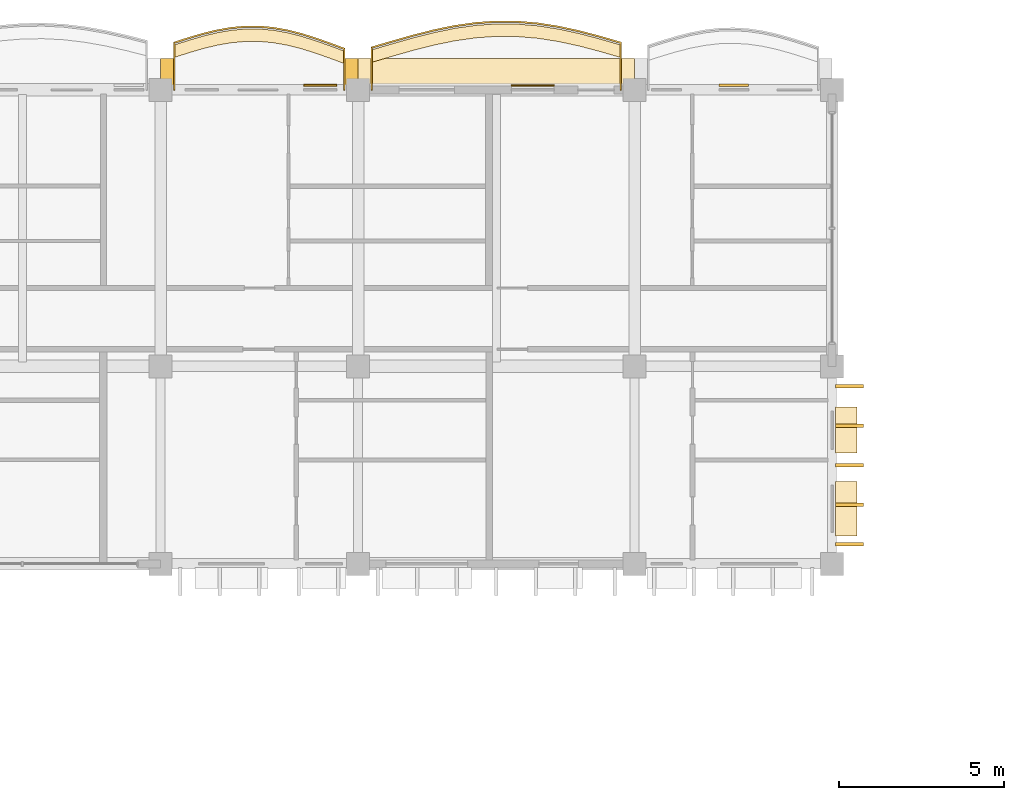
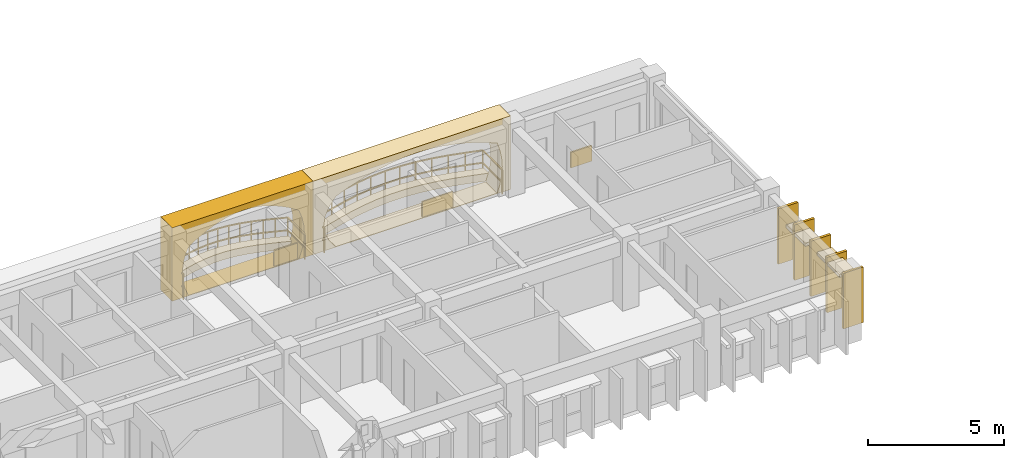
# One storey, part 62 of 79: 14 coverings, 2 railings.
"""IFC4 building model written with IfcOpenShell, lengths in metres."""

import ifcopenshell
import ifcopenshell.guid

model = None  # the IFC model being written
_history = None  # IfcOwnerHistory: only IFC2X3 demands one
_inside = {}  # id of a spatial element -> (the spatial element, [elements in it])
_under = {}  # id of a project, library or spatial element -> (it, [spatial elements below it])
_declared = {}  # id of a project -> (the project, [libraries it declares])
_typed = {}  # id of a type object -> (the type object, [elements of that type])
_made_of = {}  # id of a material, layer set ... -> (it, [elements and type objects made of it])


def new_model(schema):
    """Start an empty IFC model of exactly this schema.

    Asked for "IFC4X3", IfcOpenShell would pick the latest addendum, in which some entities
    have other attributes; the version numbers below select the first issue.
    IFC2X3 requires an IfcOwnerHistory on every rooted entity: one is made here for all.
    """
    global model, _history
    if schema == "IFC4X3":
        model = ifcopenshell.file(schema_version=(4, 3, 0, 0))
    else:
        model = ifcopenshell.file(schema=schema)
    _inside.clear()
    _under.clear()
    _declared.clear()
    _typed.clear()
    _made_of.clear()
    _history = None
    if model.schema == "IFC2X3":
        org = make("IfcOrganization", Name="unknown")
        user = make(
            "IfcPersonAndOrganization",
            ThePerson=make("IfcPerson", FamilyName="unknown"),
            TheOrganization=org,
        )
        app = make(
            "IfcApplication",
            ApplicationDeveloper=org,
            Version="unknown",
            ApplicationFullName="unknown",
            ApplicationIdentifier="unknown",
        )
        _history = make(
            "IfcOwnerHistory",
            OwningUser=user,
            OwningApplication=app,
            ChangeAction="ADDED",
            CreationDate=0,
        )
    return model


def make(cls, **values):
    """One entity of the class cls with the attributes given. An attribute that is None is left unset."""
    return model.create_entity(
        cls, **{name: value for name, value in values.items() if value is not None}
    )


def rooted(cls, **values):
    """An entity with a GlobalId (a new one), such as an element, a storey or a relation."""
    return make(cls, GlobalId=ifcopenshell.guid.new(), OwnerHistory=_history, **values)


def si_unit(unit_type, name, prefix=None):
    """IfcSIUnit, for example si_unit("LENGTHUNIT", "METRE", prefix="MILLI")."""
    return make("IfcSIUnit", UnitType=unit_type, Prefix=prefix, Name=name)


def assignment(units):
    """IfcUnitAssignment: the units of a project."""
    return None if units is None else make("IfcUnitAssignment", Units=units)


def point(xyz):
    """IfcCartesianPoint."""
    return None if xyz is None else make("IfcCartesianPoint", Coordinates=xyz)


def direction(xyz):
    """IfcDirection."""
    return None if xyz is None else make("IfcDirection", DirectionRatios=xyz)


def frame(location, z_axis=None, x_axis=None):
    """IfcAxis2Placement3D, a coordinate frame: its origin and axes. An axis left out is left unset."""
    return make(
        "IfcAxis2Placement3D",
        Location=point(location),
        Axis=direction(z_axis),
        RefDirection=direction(x_axis),
    )


def frame_2d(location, x_axis=None):
    """IfcAxis2Placement2D, a coordinate frame in the plane: its origin and x axis."""
    return make(
        "IfcAxis2Placement2D", Location=point(location), RefDirection=direction(x_axis)
    )


def origin():
    """The frame at (0, 0, 0) with its axes left unset."""
    return frame((0.0, 0.0, 0.0))


def origin_2d():
    """The frame at (0, 0) in the plane with its x axis left unset."""
    return frame_2d((0.0, 0.0))


def place(relative_to, where):
    """IfcLocalPlacement: puts the frame where relative to a parent placement (None: the world)."""
    return make(
        "IfcLocalPlacement", PlacementRelTo=relative_to, RelativePlacement=where
    )


def context(
    kind, dimensions, precision=None, world=None, true_north=None, identifier=None
):
    """IfcGeometricRepresentationContext, for example the 3D "Model" context."""
    return make(
        "IfcGeometricRepresentationContext",
        ContextIdentifier=identifier,
        ContextType=kind,
        CoordinateSpaceDimension=dimensions,
        Precision=precision,
        WorldCoordinateSystem=world,
        TrueNorth=true_north,
    )


def subcontext(parent, identifier, kind, view, scale=None):
    """IfcGeometricRepresentationSubContext, for example "Body" below "Model"."""
    return make(
        "IfcGeometricRepresentationSubContext",
        ContextIdentifier=identifier,
        ContextType=kind,
        ParentContext=parent,
        TargetScale=scale,
        TargetView=view,
    )


def project(units=None, contexts=None):
    """IfcProject with its units and contexts."""
    return rooted(
        "IfcProject",
        Name="project",
        RepresentationContexts=contexts,
        UnitsInContext=assignment(units),
    )


def spatial(cls, under=None, at=None, **own):
    """A site, building, storey or space (cls), placed at a placement, below another one or the project."""
    s = rooted(cls, ObjectPlacement=at, **own)
    if under is not None:
        _under.setdefault(under.id(), (under, []))[1].append(s)
    return s


def polyline(points):
    """IfcPolyline through the points."""
    return make("IfcPolyline", Points=[point(p) for p in points])


def profile(cls, at=None, kind="AREA", **sizes):
    """A parametric profile (cls). Its sizes go by their IFC names, for example OverallWidth=200.0."""
    return make(cls, ProfileType=kind, Position=at, **sizes)


def rectangle(**sizes):
    """IfcRectangleProfileDef."""
    return profile("IfcRectangleProfileDef", **sizes)


def outline(outer, holes=None, kind="AREA"):
    """IfcArbitraryClosedProfileDef: a profile drawn as a closed curve; with holes, ...WithVoids."""
    if holes is None:
        return make("IfcArbitraryClosedProfileDef", ProfileType=kind, OuterCurve=outer)
    return make(
        "IfcArbitraryProfileDefWithVoids",
        ProfileType=kind,
        OuterCurve=outer,
        InnerCurves=holes,
    )


def extrude(swept, where, along, depth):
    """IfcExtrudedAreaSolid: the profile swept, set in the frame where, extruded along a direction by depth."""
    return make(
        "IfcExtrudedAreaSolid",
        SweptArea=swept,
        Position=where,
        ExtrudedDirection=direction(along),
        Depth=depth,
    )


def shape(context_of_items, identifier, shape_type, items):
    """IfcShapeRepresentation: the items that make up one representation, for example the "Body"."""
    return make(
        "IfcShapeRepresentation",
        ContextOfItems=context_of_items,
        RepresentationIdentifier=identifier,
        RepresentationType=shape_type,
        Items=items,
    )


def material(Name=None, Category=None):
    """IfcMaterial."""
    return make("IfcMaterial", Name=Name, Category=Category)


def layer(
    of_material, thickness, ventilated=None, Name=None, Category=None, Priority=None
):
    """IfcMaterialLayer: one layer of a wall or slab, of a material (None: an air gap)."""
    return make(
        "IfcMaterialLayer",
        Material=of_material,
        LayerThickness=thickness,
        IsVentilated=ventilated,
        Name=Name,
        Category=Category,
        Priority=Priority,
    )


def layer_set(layers, Name=None):
    """IfcMaterialLayerSet."""
    return make("IfcMaterialLayerSet", MaterialLayers=layers, LayerSetName=Name)


def made_of(thing, what):
    """Note that an element or type object is made of a material, layer set ...; save() writes the relation."""
    if what is not None:
        _made_of.setdefault(what.id(), (what, []))[1].append(thing)
    return thing


def type_object(cls, material=None, **own):
    """A type object (cls), such as IfcWallType, which elements share."""
    return made_of(rooted(cls, **own), material)


def element(
    cls,
    number,
    at=None,
    inside=None,
    cuts=None,
    type_object=None,
    material=None,
    context=None,
    identifier="Body",
    shape_type=None,
    held_by="IfcProductDefinitionShape",
    body=None,
    shapes=None,
    **own,
):
    """One element of the class cls, such as IfcWall. Its Tag is "e" and its number.

    at: its placement. inside: the storey or other place that contains it. cuts: it is an
    opening in that element (IfcRelVoidsElement). A single representation is given by context,
    identifier, shape_type and body (its items); several are given by shapes. held_by: the class
    of the entity that holds the representations. save() writes the other relations.
    """
    e = rooted(cls, Tag="e%d" % number, ObjectPlacement=at, **own)
    if body is not None:
        shapes = [shape(context, identifier, shape_type, body)]
    if shapes is not None:
        e.Representation = make(held_by, Representations=shapes)
    if inside is not None:
        _inside.setdefault(inside.id(), (inside, []))[1].append(e)
    if cuts is not None:
        rooted(
            "IfcRelVoidsElement", RelatingBuildingElement=cuts, RelatedOpeningElement=e
        )
    if type_object is not None:
        _typed.setdefault(type_object.id(), (type_object, []))[1].append(e)
    return made_of(e, material)


def aggregate(whole, parts):
    """IfcRelAggregates: a whole, such as a stair, and the parts it consists of."""
    return rooted("IfcRelAggregates", RelatingObject=whole, RelatedObjects=parts)


def save(model, path):
    """Write the relations noted so far, then the file.

    IfcRelAggregates (storeys below a building ...), IfcRelContainedInSpatialStructure (elements
    in a storey), IfcRelDefinesByType, IfcRelAssociatesMaterial and IfcRelDeclares: one each for
    every whole, place, type object, material and project.
    """
    for whole, parts in _under.values():
        aggregate(whole, parts)
    for where, things in _inside.values():
        rooted(
            "IfcRelContainedInSpatialStructure",
            RelatedElements=things,
            RelatingStructure=where,
        )
    for kind, things in _typed.values():
        rooted("IfcRelDefinesByType", RelatedObjects=things, RelatingType=kind)
    for what, things in _made_of.values():
        rooted("IfcRelAssociatesMaterial", RelatedObjects=things, RelatingMaterial=what)
    for by, libraries in _declared.values():
        rooted("IfcRelDeclares", RelatingContext=by, RelatedDefinitions=libraries)
    model.write(path)


model = new_model("IFC4")

# Units and contexts
model_context = context("Model", 3, precision=1e-05, world=origin(), true_north=direction((0.0, 1.0)))
body_context = subcontext(model_context, "Body", "Model", "MODEL_VIEW")
ifc_project = project(units=[si_unit("LENGTHUNIT", "METRE"), si_unit("AREAUNIT", "SQUARE_METRE"), si_unit("VOLUMEUNIT", "CUBIC_METRE"), si_unit("PLANEANGLEUNIT", "RADIAN"), si_unit("MASSUNIT", "GRAM", prefix="KILO"), si_unit("THERMODYNAMICTEMPERATUREUNIT", "KELVIN")], contexts=[model_context])

# Site, building, storey
site_placement = place(None, origin())
site = spatial("IfcSite", under=ifc_project, at=site_placement, CompositionType="ELEMENT")
building_placement = place(site_placement, origin())
building = spatial("IfcBuilding", under=site, at=building_placement, Name="Thalorik Housing Commons", CompositionType="ELEMENT")
storey_placement = place(building_placement, frame((0.0, 0.0, 11.39990234375)))
storey = spatial("IfcBuildingStorey", under=building, at=storey_placement, Name="L03", CompositionType="ELEMENT", Elevation=11.39990234375)

# Coverings
ifc_material_1 = material(Name="Cobalt blue glazed ceramic facade tile panel", Category="masonry")
ifc_layer_1 = layer(ifc_material_1, 0.06005859375, Name="Cobalt blue glazed ceramic facade tile panel", Category="masonry")
ifc_layer_set_1 = layer_set([ifc_layer_1], Name="Cobalt blue glazed ceramic facade tile panel")
covering_type_1 = type_object("IfcCoveringType", Name="ARC-CLD-BLU-60", PredefinedType="CLADDING", material=ifc_layer_set_1)
covering_1_placement = place(storey_placement, frame((42.0478515625, 123.737548828125, 0.05029296875), z_axis=(0.0, 0.0, 1.0), x_axis=(-1.0, 0.0, 0.0)))
element("IfcCovering", 1, at=covering_1_placement, inside=storey, type_object=covering_type_1, Name="L03 De Stijl Recessed Window Spandrel 308", PredefinedType="CLADDING", context=body_context, shape_type="SweptSolid", body=[
    extrude(rectangle(XDim=1.0, YDim=0.06005859375, at=origin_2d()), origin(), (0.0, 0.0, 1.0), 0.699951171875),
])
ifc_material_2 = material(Name="Precast concrete C40/50", Category="concrete")
ifc_layer_2 = layer(ifc_material_2, 0.85009765625, Name="Precast concrete C40/50", Category="concrete")
ifc_layer_set_2 = layer_set([ifc_layer_2], Name="Precast concrete C40/50")
covering_type_2 = type_object("IfcCoveringType", Name="ARC-CLD-CUSH-850", PredefinedType="CLADDING", material=ifc_layer_set_2)
covering_2_placement = place(storey_placement, frame((47.39990234375, 124.12744140625, 0.0), z_axis=(0.0, 0.0, 1.0), x_axis=(-1.0, 0.0, 0.0)))
element("IfcCovering", 2, at=covering_2_placement, inside=storey, type_object=covering_type_2, Name="L03 White Precast Curved Cushion Bay Frame 305", PredefinedType="CLADDING", context=body_context, shape_type="SweptSolid", body=[
    extrude(outline(polyline([(-4.199951171875, 0.0), (4.199951171875, 0.0), (4.199951171875, 3.300048828125), (-4.199951171875, 3.300048828125), (-4.199951171875, 0.0)]), holes=[polyline([(3.239990234375, 0.02490234375), (3.523193359375, 0.40087890625), (3.693359375, 0.776611328125), (3.75, 1.152587890625), (3.693359375, 1.5283203125), (3.523193359375, 1.904296875), (3.239990234375, 2.280029296875), (2.66748046875, 2.51123046875), (2.094970703125, 2.693115234375), (1.5224609375, 2.840087890625), (0.949951171875, 2.94970703125), (0.37744140625, 3.01708984375), (-0.195068359375, 3.0400390625), (-0.767578125, 3.01708984375), (-1.340087890625, 2.94970703125), (-1.91259765625, 2.840087890625), (-2.485107421875, 2.693115234375), (-3.0576171875, 2.51123046875), (-3.6298828125, 2.280029296875), (-3.750244140625, 1.904296875), (-3.822509765625, 1.5283203125), (-3.8466796875, 1.152587890625), (-3.822509765625, 0.776611328125), (-3.750244140625, 0.40087890625), (-3.6298828125, 0.02490234375), (3.239990234375, 0.02490234375)])]), frame((0.0, 0.425048828125, 0.0), z_axis=(0.0, -1.0, 0.0), x_axis=(1.0, 0.0, 0.0)), (0.0, 0.0, 1.0), 0.85009765625),
])
covering_3_placement = place(storey_placement, frame((40.199951171875, 124.12744140625, 0.0), z_axis=(0.0, 0.0, 1.0), x_axis=(-1.0, 0.0, 0.0)))
element("IfcCovering", 3, at=covering_3_placement, inside=storey, type_object=covering_type_2, Name="L03 White Precast Curved Cushion Bay Frame 307", PredefinedType="CLADDING", context=body_context, shape_type="SweptSolid", body=[
    extrude(outline(polyline([(-3.0, 0.0), (3.0, 0.0), (3.0, 3.300048828125), (-3.0, 3.300048828125), (-3.0, 0.0)]), holes=[polyline([(2.30224609375, 0.02490234375), (2.449462890625, 0.387451171875), (2.537841796875, 0.75), (2.5673828125, 1.112548828125), (2.537841796875, 1.47509765625), (2.449462890625, 1.83740234375), (2.30224609375, 2.199951171875), (1.910400390625, 2.455810546875), (1.518798828125, 2.656494140625), (1.127197265625, 2.819091796875), (0.735595703125, 2.940185546875), (0.343994140625, 3.014892578125), (-0.0478515625, 3.0400390625), (-0.439453125, 3.014892578125), (-0.8310546875, 2.940185546875), (-1.222900390625, 2.819091796875), (-1.614501953125, 2.656494140625), (-2.006103515625, 2.455810546875), (-2.397705078125, 2.199951171875), (-2.52490234375, 1.83740234375), (-2.601318359375, 1.47509765625), (-2.626708984375, 1.112548828125), (-2.601318359375, 0.75), (-2.52490234375, 0.387451171875), (-2.397705078125, 0.02490234375), (2.30224609375, 0.02490234375)])]), frame((0.0, 0.425048828125, 0.0), z_axis=(0.0, -1.0, 0.0), x_axis=(1.0, 0.0, 0.0)), (0.0, 0.0, 1.0), 0.85009765625),
])
ifc_layer_3 = layer(ifc_material_2, 0.85009765625, Name="Precast concrete C40/50", Category="concrete")
ifc_layer_set_3 = layer_set([ifc_layer_3], Name="Precast concrete C40/50")
covering_type_3 = type_object("IfcCoveringType", Name="ARC-CLD-FIN-850", PredefinedType="CLADDING", material=ifc_layer_set_3)
for number, where, z_axis, x_axis, name in (
    (4, (58.12744140625, 109.800048828125, 0.0400390625), (0.0, 0.0, 1.0), (0.0, 1.0, 0.0), "L03 Courtyard Precast Vertical Brise-Soleil Fin 296"),
    (5, (58.12744140625, 111.0, 0.0400390625), (0.0, 0.0, 1.0), (0.0, 1.0, 0.0), "L03 Courtyard Precast Vertical Brise-Soleil Fin 297"),
    (6, (58.12744140625, 112.199951171875, 0.0400390625), (0.0, 0.0, 1.0), (0.0, 1.0, 0.0), "L03 Courtyard Precast Vertical Brise-Soleil Fin 298"),
    (7, (58.12744140625, 113.39990234375, 0.0400390625), (0.0, 0.0, 1.0), (0.0, 1.0, 0.0), "L03 Courtyard Precast Vertical Brise-Soleil Fin 299"),
    (8, (58.12744140625, 114.60009765625, 0.0400390625), (0.0, 0.0, 1.0), (0.0, 1.0, 0.0), "L03 Courtyard Precast Vertical Brise-Soleil Fin 300"),
):
    element("IfcCovering", number, at=place(storey_placement, frame(where, z_axis=z_axis, x_axis=x_axis)), inside=storey, type_object=covering_type_3, Name=name, PredefinedType="CLADDING", context=body_context, shape_type="SweptSolid", body=[
        extrude(rectangle(XDim=0.110107421875, YDim=0.85009765625, at=origin_2d()), origin(), (0.0, 0.0, 1.0), 2.4951171875),
    ])
ifc_layer_4 = layer(ifc_material_2, 0.64990234375, Name="Precast concrete C40/50", Category="concrete")
ifc_layer_set_4 = layer_set([ifc_layer_4], Name="Precast concrete C40/50")
covering_type_4 = type_object("IfcCoveringType", Name="ARC-CLD-HOOD-650", PredefinedType="CLADDING", material=ifc_layer_set_4)
covering_4_placement = place(storey_placement, frame((58.027587890625, 110.87548828125, 2.169921875), z_axis=(0.0, 0.0, 1.0), x_axis=(0.0, 1.0, 0.0)))
element("IfcCovering", 9, at=covering_4_placement, inside=storey, type_object=covering_type_4, Name="L03 Courtyard Precast Window Sun-Hood 301", PredefinedType="CLADDING", context=body_context, shape_type="SweptSolid", body=[
    extrude(rectangle(XDim=1.659912109375, YDim=0.64990234375, at=origin_2d()), origin(), (0.0, 0.0, 1.0), 0.139892578125),
])
covering_5_placement = place(storey_placement, frame((58.027587890625, 113.26513671875, 2.0400390625), z_axis=(0.0, 0.0, 1.0), x_axis=(0.0, 1.0, 0.0)))
element("IfcCovering", 10, at=covering_5_placement, inside=storey, type_object=covering_type_4, Name="L03 Courtyard Precast Window Sun-Hood 302", PredefinedType="CLADDING", context=body_context, shape_type="SweptSolid", body=[
    extrude(rectangle(XDim=1.389892578125, YDim=0.64990234375, at=origin_2d()), origin(), (0.0, 0.0, 1.0), 0.139892578125),
])
ifc_material_3 = material(Name="Terracotta red mineral fibre-cement panel", Category="masonry")
ifc_layer_5 = layer(ifc_material_3, 0.054931640625, Name="Terracotta red mineral fibre-cement panel", Category="masonry")
ifc_layer_set_5 = layer_set([ifc_layer_5], Name="Terracotta red mineral fibre-cement panel")
covering_type_5 = type_object("IfcCoveringType", Name="ARC-CLD-RED-55", PredefinedType="CLADDING", material=ifc_layer_set_5)
covering_6_placement = place(storey_placement, frame((48.5048828125, 123.735107421875, 0.05029296875), z_axis=(0.0, 0.0, 1.0), x_axis=(-1.0, 0.0, 0.0)))
element("IfcCovering", 11, at=covering_6_placement, inside=storey, type_object=covering_type_5, Name="L03 De Stijl Recessed Window Spandrel 306", PredefinedType="CLADDING", context=body_context, shape_type="SweptSolid", body=[
    extrude(rectangle(XDim=1.300048828125, YDim=0.054931640625, at=origin_2d()), origin(), (0.0, 0.0, 1.0), 0.699951171875),
])
ifc_material_4 = material(Name="Mineral ochre architectural terracotta panel", Category="masonry")
ifc_layer_6 = layer(ifc_material_4, 0.06494140625, Name="Mineral ochre architectural terracotta panel", Category="masonry")
ifc_layer_set_6 = layer_set([ifc_layer_6], Name="Mineral ochre architectural terracotta panel")
covering_type_6 = type_object("IfcCoveringType", Name="ARC-CLD-YEL-65", PredefinedType="CLADDING", material=ifc_layer_set_6)
covering_7_placement = place(storey_placement, frame((54.616455078125, 123.739990234375, 0.05029296875), z_axis=(0.0, 0.0, 1.0), x_axis=(-1.0, 0.0, 0.0)))
element("IfcCovering", 12, at=covering_7_placement, inside=storey, type_object=covering_type_6, Name="L03 De Stijl Recessed Window Spandrel 304", PredefinedType="CLADDING", context=body_context, shape_type="SweptSolid", body=[
    extrude(rectangle(XDim=0.89990234375, YDim=0.06494140625, at=origin_2d()), origin(), (0.0, 0.0, 1.0), 0.699951171875),
])
ifc_material_5 = material(Name="Planted vegetated substrate and terracotta trough", Category="masonry")
ifc_layer_7 = layer(ifc_material_5, 0.340087890625, Name="Planted vegetated substrate and terracotta trough", Category="masonry")
ifc_layer_set_7 = layer_set([ifc_layer_7], Name="Planted vegetated substrate and terracotta trough")
covering_type_7 = type_object("IfcCoveringType", Name="ARC-COV-PLANTER", PredefinedType="USERDEFINED", material=ifc_layer_set_7)
covering_8_placement = place(storey_placement, origin())
element("IfcCovering", 13, at=covering_8_placement, inside=storey, type_object=covering_type_7, Name="L03 Balcony Slab-Edge Planted Trough 5329", ObjectType="PLANTER", PredefinedType="USERDEFINED", context=body_context, shape_type="SweptSolid", body=[
    extrude(outline(polyline([(42.780029296875, 124.780517578125), (42.35009765625, 124.939208984375), (41.919921875, 125.09130859375), (41.489990234375, 125.226318359375), (41.06005859375, 125.3359375), (40.6298828125, 125.41259765625), (40.199951171875, 125.451416015625), (39.77001953125, 125.450927734375), (39.340087890625, 125.411376953125), (38.909912109375, 125.33642578125), (38.47998046875, 125.231689453125), (38.050048828125, 125.105224609375), (37.6201171875, 124.96630859375), (37.6201171875, 124.58642578125), (38.050048828125, 124.725341796875), (38.47998046875, 124.851806640625), (38.909912109375, 124.956298828125), (39.340087890625, 125.031494140625), (39.77001953125, 125.07080078125), (40.199951171875, 125.071533203125), (40.6298828125, 125.032470703125), (41.06005859375, 124.955810546875), (41.489990234375, 124.846435546875), (41.919921875, 124.711181640625), (42.35009765625, 124.55908203125), (42.780029296875, 124.400390625), (42.780029296875, 124.780517578125)])), origin(), (0.0, 0.0, 1.0), 0.340087890625),
])
covering_9_placement = place(storey_placement, origin())
element("IfcCovering", 14, at=covering_9_placement, inside=storey, type_object=covering_type_7, Name="L03 Balcony Slab-Edge Planted Trough 5330", ObjectType="PLANTER", PredefinedType="USERDEFINED", context=body_context, shape_type="SweptSolid", body=[
    extrude(outline(polyline([(51.179931640625, 124.9638671875), (50.550048828125, 125.14697265625), (49.919921875, 125.3125), (49.2900390625, 125.448974609375), (48.659912109375, 125.54736328125), (48.030029296875, 125.6005859375), (47.39990234375, 125.60546875), (46.77001953125, 125.561279296875), (46.139892578125, 125.4716796875), (45.510009765625, 125.342529296875), (44.8798828125, 125.183349609375), (44.25, 125.0048828125), (43.6201171875, 124.8193359375), (43.6201171875, 124.439453125), (44.25, 124.624755859375), (44.8798828125, 124.80322265625), (45.510009765625, 124.962646484375), (46.139892578125, 125.091796875), (46.77001953125, 125.181396484375), (47.39990234375, 125.225341796875), (48.030029296875, 125.220703125), (48.659912109375, 125.16748046875), (49.2900390625, 125.069091796875), (49.919921875, 124.932373046875), (50.550048828125, 124.766845703125), (51.179931640625, 124.583740234375), (51.179931640625, 124.9638671875)])), origin(), (0.0, 0.0, 1.0), 0.340087890625),
])

# Railings
ifc_material_6 = material(Name="Steel S355", Category="steel")
railing_type_1 = type_object("IfcRailingType", Name="ARC-RL-BAL-112", PredefinedType="BALUSTRADE", material=ifc_material_6)
railing_1_placement = place(storey_placement, frame((51.179931640625, 123.60009765625, 0.0)))
element("IfcRailing", 15, at=railing_1_placement, inside=storey, type_object=railing_type_1, Name="L03 Cushion Balcony Guardrail 14", PredefinedType="BALUSTRADE", context=body_context, shape_type="SweptSolid", body=[
    extrude(rectangle(XDim=0.050048828125, YDim=0.050048828125, at=origin_2d()), frame((0.0, 0.0, 1.09521484375), z_axis=(0.0, 1.0, 0.0), x_axis=(-1.0, 0.0, 0.0)), (0.0, 0.0, 1.0), 1.43359375),
    extrude(rectangle(XDim=0.050048828125, YDim=0.050048828125, at=origin_2d()), frame((0.0, 0.0, 0.53515625), z_axis=(0.0, 1.0, 0.0), x_axis=(-1.0, 0.0, 0.0)), (0.0, 0.0, 1.0), 1.43359375),
    extrude(rectangle(XDim=0.050048828125, YDim=0.050048828125, at=origin_2d()), frame((0.0, 1.43359375, 1.09521484375), z_axis=(-0.960249728562, 0.279142362954, 0.0), x_axis=(-0.279142362954, -0.960249728562, 0.0)), (0.0, 0.0, 1.0), 0.656005859375),
    extrude(rectangle(XDim=0.050048828125, YDim=0.050048828125, at=origin_2d()), frame((0.0, 1.43359375, 0.53515625), z_axis=(-0.960249728562, 0.279142362954, 0.0), x_axis=(-0.279142362954, -0.960249728562, 0.0)), (0.0, 0.0, 1.0), 0.656005859375),
    extrude(rectangle(XDim=0.050048828125, YDim=0.050048828125, at=origin_2d()), frame((-0.6298828125, 1.61669921875, 1.09521484375), z_axis=(-0.967186087483, 0.254069030342, 0.0), x_axis=(-0.254069030342, -0.967186087483, 0.0)), (0.0, 0.0, 1.0), 0.651611328125),
    extrude(rectangle(XDim=0.050048828125, YDim=0.050048828125, at=origin_2d()), frame((-0.6298828125, 1.61669921875, 0.53515625), z_axis=(-0.967186087483, 0.254069030342, 0.0), x_axis=(-0.254069030342, -0.967186087483, 0.0)), (0.0, 0.0, 1.0), 0.651611328125),
    extrude(rectangle(XDim=0.050048828125, YDim=0.050048828125, at=origin_2d()), frame((-1.260009765625, 1.7822265625, 1.09521484375), z_axis=(-0.977244684611, 0.212115125342, 0.0), x_axis=(-0.212115125342, -0.977244684611, 0.0)), (0.0, 0.0, 1.0), 0.64453125),
    extrude(rectangle(XDim=0.050048828125, YDim=0.050048828125, at=origin_2d()), frame((-1.260009765625, 1.7822265625, 0.53515625), z_axis=(-0.977244684611, 0.212115125342, 0.0), x_axis=(-0.212115125342, -0.977244684611, 0.0)), (0.0, 0.0, 1.0), 0.64453125),
    extrude(rectangle(XDim=0.050048828125, YDim=0.050048828125, at=origin_2d()), frame((-1.889892578125, 1.9189453125, 1.09521484375), z_axis=(-0.988028449875, 0.154271780434, 0.0), x_axis=(-0.154271780434, -0.988028449875, 0.0)), (0.0, 0.0, 1.0), 0.6376953125),
    extrude(rectangle(XDim=0.050048828125, YDim=0.050048828125, at=origin_2d()), frame((-1.889892578125, 1.9189453125, 0.53515625), z_axis=(-0.988028449875, 0.154271780434, 0.0), x_axis=(-0.154271780434, -0.988028449875, 0.0)), (0.0, 0.0, 1.0), 0.6376953125),
    extrude(rectangle(XDim=0.050048828125, YDim=0.050048828125, at=origin_2d()), frame((-2.52001953125, 2.017333984375, 1.09521484375), z_axis=(-0.99644920467, 0.084196095588, 0.0), x_axis=(-0.084196095588, -0.99644920467, 0.0)), (0.0, 0.0, 1.0), 0.632080078125),
    extrude(rectangle(XDim=0.050048828125, YDim=0.050048828125, at=origin_2d()), frame((-2.52001953125, 2.017333984375, 0.53515625), z_axis=(-0.99644920467, 0.084196095588, 0.0), x_axis=(-0.084196095588, -0.99644920467, 0.0)), (0.0, 0.0, 1.0), 0.632080078125),
    extrude(rectangle(XDim=0.050048828125, YDim=0.050048828125, at=origin_2d()), frame((-3.14990234375, 2.070556640625, 1.09521484375), z_axis=(-0.99997290535, 0.007361288338, 0.0), x_axis=(-0.007361288338, -0.99997290535, 0.0)), (0.0, 0.0, 1.0), 0.630126953125),
    extrude(rectangle(XDim=0.050048828125, YDim=0.050048828125, at=origin_2d()), frame((-3.14990234375, 2.070556640625, 0.53515625), z_axis=(-0.99997290535, 0.007361288338, 0.0), x_axis=(-0.007361288338, -0.99997290535, 0.0)), (0.0, 0.0, 1.0), 0.630126953125),
    extrude(rectangle(XDim=0.050048828125, YDim=0.050048828125, at=origin_2d()), frame((-3.780029296875, 2.0751953125, 1.09521484375), z_axis=(-0.997575100836, -0.069598262849, 0.0), x_axis=(0.069598262849, -0.997575100836, 0.0)), (0.0, 0.0, 1.0), 0.63134765625),
    extrude(rectangle(XDim=0.050048828125, YDim=0.050048828125, at=origin_2d()), frame((-3.780029296875, 2.0751953125, 0.53515625), z_axis=(-0.997575100836, -0.069598262849, 0.0), x_axis=(0.069598262849, -0.997575100836, 0.0)), (0.0, 0.0, 1.0), 0.63134765625),
    extrude(rectangle(XDim=0.050048828125, YDim=0.050048828125, at=origin_2d()), frame((-4.409912109375, 2.03125, 1.09521484375), z_axis=(-0.990041345096, -0.140776897966, 0.0), x_axis=(0.140776897966, -0.990041345096, 0.0)), (0.0, 0.0, 1.0), 0.636474609375),
    extrude(rectangle(XDim=0.050048828125, YDim=0.050048828125, at=origin_2d()), frame((-4.409912109375, 2.03125, 0.53515625), z_axis=(-0.990041345096, -0.140776897966, 0.0), x_axis=(0.140776897966, -0.990041345096, 0.0)), (0.0, 0.0, 1.0), 0.636474609375),
    extrude(rectangle(XDim=0.050048828125, YDim=0.050048828125, at=origin_2d()), frame((-5.0400390625, 1.941650390625, 1.09521484375), z_axis=(-0.979619945128, -0.200860058517, 0.0), x_axis=(0.200860058517, -0.979619945128, 0.0)), (0.0, 0.0, 1.0), 0.64306640625),
    extrude(rectangle(XDim=0.050048828125, YDim=0.050048828125, at=origin_2d()), frame((-5.0400390625, 1.941650390625, 0.53515625), z_axis=(-0.979619945128, -0.200860058517, 0.0), x_axis=(0.200860058517, -0.979619945128, 0.0)), (0.0, 0.0, 1.0), 0.64306640625),
    extrude(rectangle(XDim=0.050048828125, YDim=0.050048828125, at=origin_2d()), frame((-5.669921875, 1.8125, 1.09521484375), z_axis=(-0.969542950291, -0.244921349705, 0.0), x_axis=(0.244921349705, -0.969542950291, 0.0)), (0.0, 0.0, 1.0), 0.64990234375),
    extrude(rectangle(XDim=0.050048828125, YDim=0.050048828125, at=origin_2d()), frame((-5.669921875, 1.8125, 0.53515625), z_axis=(-0.969542950291, -0.244921349705, 0.0), x_axis=(0.244921349705, -0.969542950291, 0.0)), (0.0, 0.0, 1.0), 0.64990234375),
    extrude(rectangle(XDim=0.050048828125, YDim=0.050048828125, at=origin_2d()), frame((-6.300048828125, 1.6533203125, 1.09521484375), z_axis=(-0.962028866252, -0.272947724844, 0.0), x_axis=(0.272947724844, -0.962028866252, 0.0)), (0.0, 0.0, 1.0), 0.65478515625),
    extrude(rectangle(XDim=0.050048828125, YDim=0.050048828125, at=origin_2d()), frame((-6.300048828125, 1.6533203125, 0.53515625), z_axis=(-0.962028866252, -0.272947724844, 0.0), x_axis=(0.272947724844, -0.962028866252, 0.0)), (0.0, 0.0, 1.0), 0.65478515625),
    extrude(rectangle(XDim=0.050048828125, YDim=0.050048828125, at=origin_2d()), frame((-6.929931640625, 1.474609375, 1.09521484375), z_axis=(-0.959347736603, -0.282226717861, 0.0), x_axis=(0.282226717861, -0.959347736603, 0.0)), (0.0, 0.0, 1.0), 0.656494140625),
    extrude(rectangle(XDim=0.050048828125, YDim=0.050048828125, at=origin_2d()), frame((-6.929931640625, 1.474609375, 0.53515625), z_axis=(-0.959347736603, -0.282226717861, 0.0), x_axis=(0.282226717861, -0.959347736603, 0.0)), (0.0, 0.0, 1.0), 0.656494140625),
    extrude(rectangle(XDim=0.050048828125, YDim=0.050048828125, at=origin_2d()), frame((-7.559814453125, 1.289306640625, 1.09521484375), z_axis=(0.0, -1.0, 0.0), x_axis=(1.0, 0.0, 0.0)), (0.0, 0.0, 1.0), 1.289306640625),
    extrude(rectangle(XDim=0.050048828125, YDim=0.050048828125, at=origin_2d()), frame((-7.559814453125, 1.289306640625, 0.53515625), z_axis=(0.0, -1.0, 0.0), x_axis=(1.0, 0.0, 0.0)), (0.0, 0.0, 1.0), 1.289306640625),
    extrude(rectangle(XDim=0.0419921875, YDim=0.0419921875, at=origin_2d()), origin(), (0.0, 0.0, 1.0), 1.070068359375),
    extrude(rectangle(XDim=0.0419921875, YDim=0.0419921875, at=origin_2d()), frame((0.0, 1.43359375, 0.0)), (0.0, 0.0, 1.0), 1.070068359375),
    extrude(rectangle(XDim=0.0419921875, YDim=0.0419921875, at=origin_2d()), frame((-0.6298828125, 1.61669921875, 0.0)), (0.0, 0.0, 1.0), 1.070068359375),
    extrude(rectangle(XDim=0.0419921875, YDim=0.0419921875, at=origin_2d()), frame((-1.260009765625, 1.7822265625, 0.0)), (0.0, 0.0, 1.0), 1.070068359375),
    extrude(rectangle(XDim=0.0419921875, YDim=0.0419921875, at=origin_2d()), frame((-1.889892578125, 1.9189453125, 0.0)), (0.0, 0.0, 1.0), 1.070068359375),
    extrude(rectangle(XDim=0.0419921875, YDim=0.0419921875, at=origin_2d()), frame((-2.52001953125, 2.017333984375, 0.0)), (0.0, 0.0, 1.0), 1.070068359375),
    extrude(rectangle(XDim=0.0419921875, YDim=0.0419921875, at=origin_2d()), frame((-3.14990234375, 2.070556640625, 0.0)), (0.0, 0.0, 1.0), 1.070068359375),
    extrude(rectangle(XDim=0.0419921875, YDim=0.0419921875, at=origin_2d()), frame((-3.780029296875, 2.0751953125, 0.0)), (0.0, 0.0, 1.0), 1.070068359375),
    extrude(rectangle(XDim=0.0419921875, YDim=0.0419921875, at=origin_2d()), frame((-4.409912109375, 2.03125, 0.0)), (0.0, 0.0, 1.0), 1.070068359375),
    extrude(rectangle(XDim=0.0419921875, YDim=0.0419921875, at=origin_2d()), frame((-5.0400390625, 1.941650390625, 0.0)), (0.0, 0.0, 1.0), 1.070068359375),
    extrude(rectangle(XDim=0.0419921875, YDim=0.0419921875, at=origin_2d()), frame((-5.669921875, 1.8125, 0.0)), (0.0, 0.0, 1.0), 1.070068359375),
    extrude(rectangle(XDim=0.0419921875, YDim=0.0419921875, at=origin_2d()), frame((-6.300048828125, 1.6533203125, 0.0)), (0.0, 0.0, 1.0), 1.070068359375),
    extrude(rectangle(XDim=0.0419921875, YDim=0.0419921875, at=origin_2d()), frame((-6.929931640625, 1.474609375, 0.0)), (0.0, 0.0, 1.0), 1.070068359375),
    extrude(rectangle(XDim=0.0419921875, YDim=0.0419921875, at=origin_2d()), frame((-7.559814453125, 1.289306640625, 0.0)), (0.0, 0.0, 1.0), 1.070068359375),
    extrude(rectangle(XDim=0.0419921875, YDim=0.0419921875, at=origin_2d()), frame((-7.559814453125, 0.0, 0.0)), (0.0, 0.0, 1.0), 1.070068359375),
])
railing_type_2 = type_object("IfcRailingType", Name="ARC-RL-BAL-115", PredefinedType="BALUSTRADE", material=ifc_material_6)
railing_2_placement = place(storey_placement, frame((42.780029296875, 123.60009765625, 0.0)))
element("IfcRailing", 16, at=railing_2_placement, inside=storey, type_object=railing_type_2, Name="L03 Cushion Balcony Guardrail 13", PredefinedType="BALUSTRADE", context=body_context, shape_type="SweptSolid", body=[
    extrude(rectangle(XDim=0.050048828125, YDim=0.050048828125, at=origin_2d()), frame((0.0, 0.0, 1.125), z_axis=(0.0, 1.0, 0.0), x_axis=(-1.0, 0.0, 0.0)), (0.0, 0.0, 1.0), 1.250244140625),
    extrude(rectangle(XDim=0.050048828125, YDim=0.050048828125, at=origin_2d()), frame((0.0, 0.0, 0.5498046875), z_axis=(0.0, 1.0, 0.0), x_axis=(-1.0, 0.0, 0.0)), (0.0, 0.0, 1.0), 1.250244140625),
    extrude(rectangle(XDim=0.050048828125, YDim=0.050048828125, at=origin_2d()), frame((0.0, 1.250244140625, 1.125), z_axis=(-0.938133751887, 0.346273105467, 0.0), x_axis=(-0.346273105467, -0.938133751887, 0.0)), (0.0, 0.0, 1.0), 0.458251953125),
    extrude(rectangle(XDim=0.050048828125, YDim=0.050048828125, at=origin_2d()), frame((0.0, 1.250244140625, 0.5498046875), z_axis=(-0.938133751887, 0.346273105467, 0.0), x_axis=(-0.346273105467, -0.938133751887, 0.0)), (0.0, 0.0, 1.0), 0.458251953125),
    extrude(rectangle(XDim=0.050048828125, YDim=0.050048828125, at=origin_2d()), frame((-0.429931640625, 1.408935546875, 1.125), z_axis=(-0.942802495723, 0.333351847239, 0.0), x_axis=(-0.333351847239, -0.942802495723, 0.0)), (0.0, 0.0, 1.0), 0.456298828125),
    extrude(rectangle(XDim=0.050048828125, YDim=0.050048828125, at=origin_2d()), frame((-0.429931640625, 1.408935546875, 0.5498046875), z_axis=(-0.942802495723, 0.333351847239, 0.0), x_axis=(-0.333351847239, -0.942802495723, 0.0)), (0.0, 0.0, 1.0), 0.456298828125),
    extrude(rectangle(XDim=0.050048828125, YDim=0.050048828125, at=origin_2d()), frame((-0.860107421875, 1.56103515625, 1.125), z_axis=(-0.953909569084, 0.300094208559, 0.0), x_axis=(-0.300094208559, -0.953909569084, 0.0)), (0.0, 0.0, 1.0), 0.45068359375),
    extrude(rectangle(XDim=0.050048828125, YDim=0.050048828125, at=origin_2d()), frame((-0.860107421875, 1.56103515625, 0.5498046875), z_axis=(-0.953909569084, 0.300094208559, 0.0), x_axis=(-0.300094208559, -0.953909569084, 0.0)), (0.0, 0.0, 1.0), 0.45068359375),
    extrude(rectangle(XDim=0.050048828125, YDim=0.050048828125, at=origin_2d()), frame((-1.2900390625, 1.6962890625, 1.125), z_axis=(-0.968999038876, 0.247064490889, 0.0), x_axis=(-0.247064490889, -0.968999038876, 0.0)), (0.0, 0.0, 1.0), 0.443603515625),
    extrude(rectangle(XDim=0.050048828125, YDim=0.050048828125, at=origin_2d()), frame((-1.2900390625, 1.6962890625, 0.5498046875), z_axis=(-0.968999038876, 0.247064490889, 0.0), x_axis=(-0.247064490889, -0.968999038876, 0.0)), (0.0, 0.0, 1.0), 0.443603515625),
    extrude(rectangle(XDim=0.050048828125, YDim=0.050048828125, at=origin_2d()), frame((-1.719970703125, 1.805908203125, 1.125), z_axis=(-0.984586038099, 0.174900925043, 0.0), x_axis=(-0.174900925043, -0.984586038099, 0.0)), (0.0, 0.0, 1.0), 0.43701171875),
    extrude(rectangle(XDim=0.050048828125, YDim=0.050048828125, at=origin_2d()), frame((-1.719970703125, 1.805908203125, 0.5498046875), z_axis=(-0.984586038099, 0.174900925043, 0.0), x_axis=(-0.174900925043, -0.984586038099, 0.0)), (0.0, 0.0, 1.0), 0.43701171875),
    extrude(rectangle(XDim=0.050048828125, YDim=0.050048828125, at=origin_2d()), frame((-2.150146484375, 1.88232421875, 1.125), z_axis=(-0.995897840652, 0.090484755539, 0.0), x_axis=(-0.090484755539, -0.995897840652, 0.0)), (0.0, 0.0, 1.0), 0.431640625),
    extrude(rectangle(XDim=0.050048828125, YDim=0.050048828125, at=origin_2d()), frame((-2.150146484375, 1.88232421875, 0.5498046875), z_axis=(-0.995897840652, 0.090484755539, 0.0), x_axis=(-0.090484755539, -0.995897840652, 0.0)), (0.0, 0.0, 1.0), 0.431640625),
    extrude(rectangle(XDim=0.050048828125, YDim=0.050048828125, at=origin_2d()), frame((-2.580078125, 1.92138671875, 1.125), z_axis=(-0.999999355073, -0.001135717609, 0.0), x_axis=(0.001135717609, -0.999999355073, 0.0)), (0.0, 0.0, 1.0), 0.429931640625),
    extrude(rectangle(XDim=0.050048828125, YDim=0.050048828125, at=origin_2d()), frame((-2.580078125, 1.92138671875, 0.5498046875), z_axis=(-0.999999355073, -0.001135717609, 0.0), x_axis=(0.001135717609, -0.999999355073, 0.0)), (0.0, 0.0, 1.0), 0.429931640625),
    extrude(rectangle(XDim=0.050048828125, YDim=0.050048828125, at=origin_2d()), frame((-3.010009765625, 1.9208984375, 1.125), z_axis=(-0.995795295661, -0.091606381543, 0.0), x_axis=(0.091606381543, -0.995795295661, 0.0)), (0.0, 0.0, 1.0), 0.431640625),
    extrude(rectangle(XDim=0.050048828125, YDim=0.050048828125, at=origin_2d()), frame((-3.010009765625, 1.9208984375, 0.5498046875), z_axis=(-0.995795295661, -0.091606381543, 0.0), x_axis=(0.091606381543, -0.995795295661, 0.0)), (0.0, 0.0, 1.0), 0.431640625),
    extrude(rectangle(XDim=0.050048828125, YDim=0.050048828125, at=origin_2d()), frame((-3.43994140625, 1.88134765625, 1.125), z_axis=(-0.985158360438, -0.171647909566, 0.0), x_axis=(0.171647909566, -0.985158360438, 0.0)), (0.0, 0.0, 1.0), 0.436767578125),
    extrude(rectangle(XDim=0.050048828125, YDim=0.050048828125, at=origin_2d()), frame((-3.43994140625, 1.88134765625, 0.5498046875), z_axis=(-0.985158360438, -0.171647909566, 0.0), x_axis=(0.171647909566, -0.985158360438, 0.0)), (0.0, 0.0, 1.0), 0.436767578125),
    extrude(rectangle(XDim=0.050048828125, YDim=0.050048828125, at=origin_2d()), frame((-3.8701171875, 1.806396484375, 1.125), z_axis=(-0.971585356615, -0.236689448034, 0.0), x_axis=(0.236689448034, -0.971585356615, 0.0)), (0.0, 0.0, 1.0), 0.442626953125),
    extrude(rectangle(XDim=0.050048828125, YDim=0.050048828125, at=origin_2d()), frame((-3.8701171875, 1.806396484375, 0.5498046875), z_axis=(-0.971585356615, -0.236689448034, 0.0), x_axis=(0.236689448034, -0.971585356615, 0.0)), (0.0, 0.0, 1.0), 0.442626953125),
    extrude(rectangle(XDim=0.050048828125, YDim=0.050048828125, at=origin_2d()), frame((-4.300048828125, 1.70166015625, 1.125), z_axis=(-0.959356826284, -0.282195818294, 0.0), x_axis=(0.282195818294, -0.959356826284, 0.0)), (0.0, 0.0, 1.0), 0.4482421875),
    extrude(rectangle(XDim=0.050048828125, YDim=0.050048828125, at=origin_2d()), frame((-4.300048828125, 1.70166015625, 0.5498046875), z_axis=(-0.959356826284, -0.282195818294, 0.0), x_axis=(0.282195818294, -0.959356826284, 0.0)), (0.0, 0.0, 1.0), 0.4482421875),
    extrude(rectangle(XDim=0.050048828125, YDim=0.050048828125, at=origin_2d()), frame((-4.72998046875, 1.5751953125, 1.125), z_axis=(-0.951560814665, -0.307460592586, 0.0), x_axis=(0.307460592586, -0.951560814665, 0.0)), (0.0, 0.0, 1.0), 0.451904296875),
    extrude(rectangle(XDim=0.050048828125, YDim=0.050048828125, at=origin_2d()), frame((-4.72998046875, 1.5751953125, 0.5498046875), z_axis=(-0.951560814665, -0.307460592586, 0.0), x_axis=(0.307460592586, -0.951560814665, 0.0)), (0.0, 0.0, 1.0), 0.451904296875),
    extrude(rectangle(XDim=0.050048828125, YDim=0.050048828125, at=origin_2d()), frame((-5.159912109375, 1.436279296875, 1.125), z_axis=(0.0, -1.0, 0.0), x_axis=(1.0, 0.0, 0.0)), (0.0, 0.0, 1.0), 1.436279296875),
    extrude(rectangle(XDim=0.050048828125, YDim=0.050048828125, at=origin_2d()), frame((-5.159912109375, 1.436279296875, 0.5498046875), z_axis=(0.0, -1.0, 0.0), x_axis=(1.0, 0.0, 0.0)), (0.0, 0.0, 1.0), 1.436279296875),
    extrude(rectangle(XDim=0.0419921875, YDim=0.0419921875, at=origin_2d()), origin(), (0.0, 0.0, 1.0), 1.099853515625),
    extrude(rectangle(XDim=0.0419921875, YDim=0.0419921875, at=origin_2d()), frame((0.0, 1.250244140625, 0.0)), (0.0, 0.0, 1.0), 1.099853515625),
    extrude(rectangle(XDim=0.0419921875, YDim=0.0419921875, at=origin_2d()), frame((-0.429931640625, 1.408935546875, 0.0)), (0.0, 0.0, 1.0), 1.099853515625),
    extrude(rectangle(XDim=0.0419921875, YDim=0.0419921875, at=origin_2d()), frame((-0.860107421875, 1.56103515625, 0.0)), (0.0, 0.0, 1.0), 1.099853515625),
    extrude(rectangle(XDim=0.0419921875, YDim=0.0419921875, at=origin_2d()), frame((-1.2900390625, 1.6962890625, 0.0)), (0.0, 0.0, 1.0), 1.099853515625),
    extrude(rectangle(XDim=0.0419921875, YDim=0.0419921875, at=origin_2d()), frame((-1.719970703125, 1.805908203125, 0.0)), (0.0, 0.0, 1.0), 1.099853515625),
    extrude(rectangle(XDim=0.0419921875, YDim=0.0419921875, at=origin_2d()), frame((-2.150146484375, 1.88232421875, 0.0)), (0.0, 0.0, 1.0), 1.099853515625),
    extrude(rectangle(XDim=0.0419921875, YDim=0.0419921875, at=origin_2d()), frame((-2.580078125, 1.92138671875, 0.0)), (0.0, 0.0, 1.0), 1.099853515625),
    extrude(rectangle(XDim=0.0419921875, YDim=0.0419921875, at=origin_2d()), frame((-3.010009765625, 1.9208984375, 0.0)), (0.0, 0.0, 1.0), 1.099853515625),
    extrude(rectangle(XDim=0.0419921875, YDim=0.0419921875, at=origin_2d()), frame((-3.43994140625, 1.88134765625, 0.0)), (0.0, 0.0, 1.0), 1.099853515625),
    extrude(rectangle(XDim=0.0419921875, YDim=0.0419921875, at=origin_2d()), frame((-3.8701171875, 1.806396484375, 0.0)), (0.0, 0.0, 1.0), 1.099853515625),
    extrude(rectangle(XDim=0.0419921875, YDim=0.0419921875, at=origin_2d()), frame((-4.300048828125, 1.70166015625, 0.0)), (0.0, 0.0, 1.0), 1.099853515625),
    extrude(rectangle(XDim=0.0419921875, YDim=0.0419921875, at=origin_2d()), frame((-4.72998046875, 1.5751953125, 0.0)), (0.0, 0.0, 1.0), 1.099853515625),
    extrude(rectangle(XDim=0.0419921875, YDim=0.0419921875, at=origin_2d()), frame((-5.159912109375, 1.436279296875, 0.0)), (0.0, 0.0, 1.0), 1.099853515625),
    extrude(rectangle(XDim=0.0419921875, YDim=0.0419921875, at=origin_2d()), frame((-5.159912109375, 0.0, 0.0)), (0.0, 0.0, 1.0), 1.099853515625),
])

save(model, "model.ifc")
